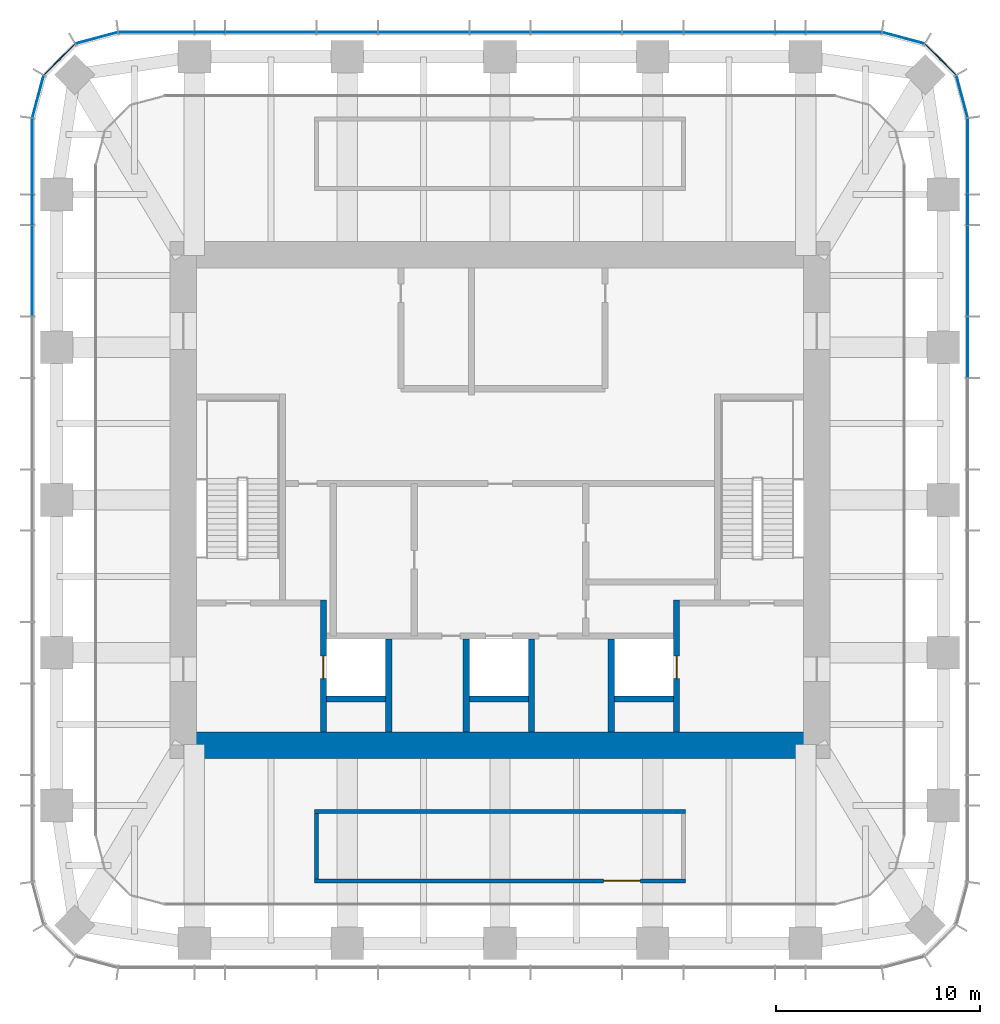
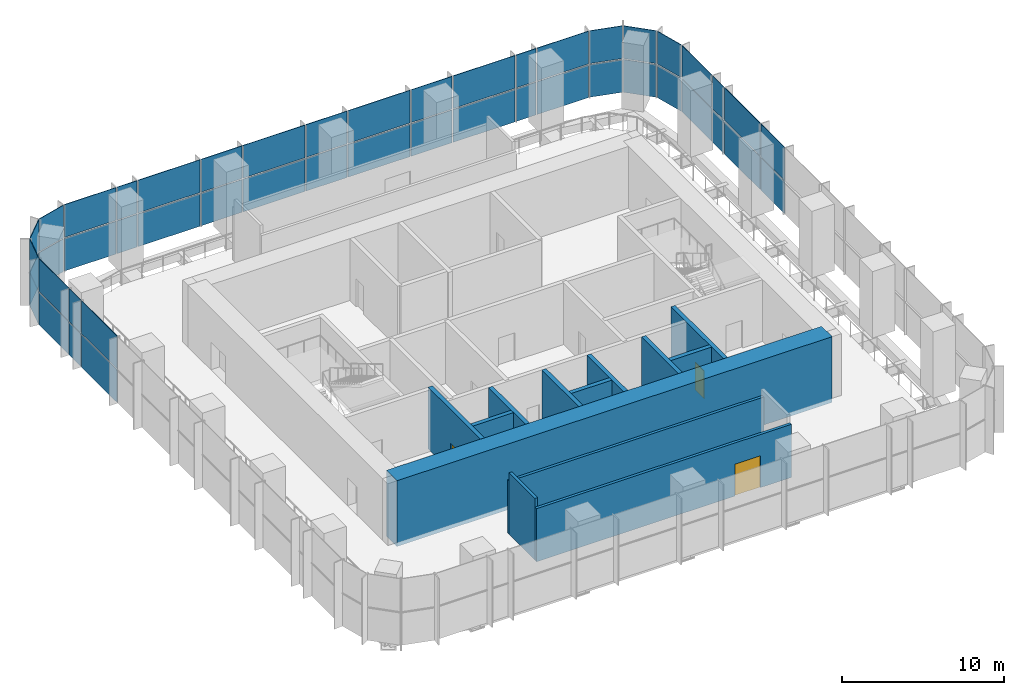
# One storey, part 5 of 10: 48 plates, 13 walls, 3 doors, 3 openings, 5 elements without a shape of their own.
"""IFC4 building model written with IfcOpenShell, lengths in metres."""

import ifcopenshell
import ifcopenshell.guid

model = None  # the IFC model being written
_history = None  # IfcOwnerHistory: only IFC2X3 demands one
_inside = {}  # id of a spatial element -> (the spatial element, [elements in it])
_under = {}  # id of a project, library or spatial element -> (it, [spatial elements below it])
_declared = {}  # id of a project -> (the project, [libraries it declares])
_typed = {}  # id of a type object -> (the type object, [elements of that type])
_made_of = {}  # id of a material, layer set ... -> (it, [elements and type objects made of it])


def new_model(schema):
    """Start an empty IFC model of exactly this schema.

    Asked for "IFC4X3", IfcOpenShell would pick the latest addendum, in which some entities
    have other attributes; the version numbers below select the first issue.
    IFC2X3 requires an IfcOwnerHistory on every rooted entity: one is made here for all.
    """
    global model, _history
    if schema == "IFC4X3":
        model = ifcopenshell.file(schema_version=(4, 3, 0, 0))
    else:
        model = ifcopenshell.file(schema=schema)
    _inside.clear()
    _under.clear()
    _declared.clear()
    _typed.clear()
    _made_of.clear()
    _history = None
    if model.schema == "IFC2X3":
        org = make("IfcOrganization", Name="unknown")
        user = make(
            "IfcPersonAndOrganization",
            ThePerson=make("IfcPerson", FamilyName="unknown"),
            TheOrganization=org,
        )
        app = make(
            "IfcApplication",
            ApplicationDeveloper=org,
            Version="unknown",
            ApplicationFullName="unknown",
            ApplicationIdentifier="unknown",
        )
        _history = make(
            "IfcOwnerHistory",
            OwningUser=user,
            OwningApplication=app,
            ChangeAction="ADDED",
            CreationDate=0,
        )
    return model


def make(cls, **values):
    """One entity of the class cls with the attributes given. An attribute that is None is left unset."""
    return model.create_entity(
        cls, **{name: value for name, value in values.items() if value is not None}
    )


def rooted(cls, **values):
    """An entity with a GlobalId (a new one), such as an element, a storey or a relation."""
    return make(cls, GlobalId=ifcopenshell.guid.new(), OwnerHistory=_history, **values)


def si_unit(unit_type, name, prefix=None):
    """IfcSIUnit, for example si_unit("LENGTHUNIT", "METRE", prefix="MILLI")."""
    return make("IfcSIUnit", UnitType=unit_type, Prefix=prefix, Name=name)


def assignment(units):
    """IfcUnitAssignment: the units of a project."""
    return None if units is None else make("IfcUnitAssignment", Units=units)


def point(xyz):
    """IfcCartesianPoint."""
    return None if xyz is None else make("IfcCartesianPoint", Coordinates=xyz)


def direction(xyz):
    """IfcDirection."""
    return None if xyz is None else make("IfcDirection", DirectionRatios=xyz)


def frame(location, z_axis=None, x_axis=None):
    """IfcAxis2Placement3D, a coordinate frame: its origin and axes. An axis left out is left unset."""
    return make(
        "IfcAxis2Placement3D",
        Location=point(location),
        Axis=direction(z_axis),
        RefDirection=direction(x_axis),
    )


def frame_2d(location, x_axis=None):
    """IfcAxis2Placement2D, a coordinate frame in the plane: its origin and x axis."""
    return make(
        "IfcAxis2Placement2D", Location=point(location), RefDirection=direction(x_axis)
    )


def origin():
    """The frame at (0, 0, 0) with its axes left unset."""
    return frame((0.0, 0.0, 0.0))


def origin_2d():
    """The frame at (0, 0) in the plane with its x axis left unset."""
    return frame_2d((0.0, 0.0))


def place(relative_to, where):
    """IfcLocalPlacement: puts the frame where relative to a parent placement (None: the world)."""
    return make(
        "IfcLocalPlacement", PlacementRelTo=relative_to, RelativePlacement=where
    )


def context(
    kind, dimensions, precision=None, world=None, true_north=None, identifier=None
):
    """IfcGeometricRepresentationContext, for example the 3D "Model" context."""
    return make(
        "IfcGeometricRepresentationContext",
        ContextIdentifier=identifier,
        ContextType=kind,
        CoordinateSpaceDimension=dimensions,
        Precision=precision,
        WorldCoordinateSystem=world,
        TrueNorth=true_north,
    )


def subcontext(parent, identifier, kind, view, scale=None):
    """IfcGeometricRepresentationSubContext, for example "Body" below "Model"."""
    return make(
        "IfcGeometricRepresentationSubContext",
        ContextIdentifier=identifier,
        ContextType=kind,
        ParentContext=parent,
        TargetScale=scale,
        TargetView=view,
    )


def project(units=None, contexts=None):
    """IfcProject with its units and contexts."""
    return rooted(
        "IfcProject",
        Name="project",
        RepresentationContexts=contexts,
        UnitsInContext=assignment(units),
    )


def spatial(cls, under=None, at=None, **own):
    """A site, building, storey or space (cls), placed at a placement, below another one or the project."""
    s = rooted(cls, ObjectPlacement=at, **own)
    if under is not None:
        _under.setdefault(under.id(), (under, []))[1].append(s)
    return s


def profile(cls, at=None, kind="AREA", **sizes):
    """A parametric profile (cls). Its sizes go by their IFC names, for example OverallWidth=200.0."""
    return make(cls, ProfileType=kind, Position=at, **sizes)


def rectangle(**sizes):
    """IfcRectangleProfileDef."""
    return profile("IfcRectangleProfileDef", **sizes)


def extrude(swept, where, along, depth):
    """IfcExtrudedAreaSolid: the profile swept, set in the frame where, extruded along a direction by depth."""
    return make(
        "IfcExtrudedAreaSolid",
        SweptArea=swept,
        Position=where,
        ExtrudedDirection=direction(along),
        Depth=depth,
    )


def shape(context_of_items, identifier, shape_type, items):
    """IfcShapeRepresentation: the items that make up one representation, for example the "Body"."""
    return make(
        "IfcShapeRepresentation",
        ContextOfItems=context_of_items,
        RepresentationIdentifier=identifier,
        RepresentationType=shape_type,
        Items=items,
    )


def material(Name=None, Category=None):
    """IfcMaterial."""
    return make("IfcMaterial", Name=Name, Category=Category)


def layer(
    of_material, thickness, ventilated=None, Name=None, Category=None, Priority=None
):
    """IfcMaterialLayer: one layer of a wall or slab, of a material (None: an air gap)."""
    return make(
        "IfcMaterialLayer",
        Material=of_material,
        LayerThickness=thickness,
        IsVentilated=ventilated,
        Name=Name,
        Category=Category,
        Priority=Priority,
    )


def layer_set(layers, Name=None):
    """IfcMaterialLayerSet."""
    return make("IfcMaterialLayerSet", MaterialLayers=layers, LayerSetName=Name)


def made_of(thing, what):
    """Note that an element or type object is made of a material, layer set ...; save() writes the relation."""
    if what is not None:
        _made_of.setdefault(what.id(), (what, []))[1].append(thing)
    return thing


def type_object(cls, material=None, **own):
    """A type object (cls), such as IfcWallType, which elements share."""
    return made_of(rooted(cls, **own), material)


def element(
    cls,
    number,
    at=None,
    inside=None,
    cuts=None,
    type_object=None,
    material=None,
    context=None,
    identifier="Body",
    shape_type=None,
    held_by="IfcProductDefinitionShape",
    body=None,
    shapes=None,
    **own,
):
    """One element of the class cls, such as IfcWall. Its Tag is "e" and its number.

    at: its placement. inside: the storey or other place that contains it. cuts: it is an
    opening in that element (IfcRelVoidsElement). A single representation is given by context,
    identifier, shape_type and body (its items); several are given by shapes. held_by: the class
    of the entity that holds the representations. save() writes the other relations.
    """
    e = rooted(cls, Tag="e%d" % number, ObjectPlacement=at, **own)
    if body is not None:
        shapes = [shape(context, identifier, shape_type, body)]
    if shapes is not None:
        e.Representation = make(held_by, Representations=shapes)
    if inside is not None:
        _inside.setdefault(inside.id(), (inside, []))[1].append(e)
    if cuts is not None:
        rooted(
            "IfcRelVoidsElement", RelatingBuildingElement=cuts, RelatedOpeningElement=e
        )
    if type_object is not None:
        _typed.setdefault(type_object.id(), (type_object, []))[1].append(e)
    return made_of(e, material)


def fill(opening, filler):
    """IfcRelFillsElement: the door or window that sits in an opening."""
    return rooted(
        "IfcRelFillsElement",
        RelatingOpeningElement=opening,
        RelatedBuildingElement=filler,
    )


def aggregate(whole, parts):
    """IfcRelAggregates: a whole, such as a stair, and the parts it consists of."""
    return rooted("IfcRelAggregates", RelatingObject=whole, RelatedObjects=parts)


def save(model, path):
    """Write the relations noted so far, then the file.

    IfcRelAggregates (storeys below a building ...), IfcRelContainedInSpatialStructure (elements
    in a storey), IfcRelDefinesByType, IfcRelAssociatesMaterial and IfcRelDeclares: one each for
    every whole, place, type object, material and project.
    """
    for whole, parts in _under.values():
        aggregate(whole, parts)
    for where, things in _inside.values():
        rooted(
            "IfcRelContainedInSpatialStructure",
            RelatedElements=things,
            RelatingStructure=where,
        )
    for kind, things in _typed.values():
        rooted("IfcRelDefinesByType", RelatedObjects=things, RelatingType=kind)
    for what, things in _made_of.values():
        rooted("IfcRelAssociatesMaterial", RelatedObjects=things, RelatingMaterial=what)
    for by, libraries in _declared.values():
        rooted("IfcRelDeclares", RelatingContext=by, RelatedDefinitions=libraries)
    model.write(path)


model = new_model("IFC4")

# Units and contexts
model_context = context("Model", 3, precision=1e-05, world=origin(), true_north=direction((0.0, 1.0)))
body_context = subcontext(model_context, "Body", "Model", "MODEL_VIEW")
ifc_project = project(units=[si_unit("LENGTHUNIT", "METRE"), si_unit("AREAUNIT", "SQUARE_METRE"), si_unit("VOLUMEUNIT", "CUBIC_METRE"), si_unit("PLANEANGLEUNIT", "RADIAN"), si_unit("MASSUNIT", "GRAM", prefix="KILO")], contexts=[model_context])

# Site, building, storey
site_placement = place(None, origin())
site = spatial("IfcSite", under=ifc_project, at=site_placement, CompositionType="ELEMENT")
building_placement = place(site_placement, origin())
building = spatial("IfcBuilding", under=site, at=building_placement, Name="Khuree Lantern Residences", CompositionType="ELEMENT")
storey_placement = place(building_placement, frame((0.0, 0.0, 358.25)))
storey = spatial("IfcBuildingStorey", under=building, at=storey_placement, Name="L90", CompositionType="ELEMENT", Elevation=358.25)

# Curtain wall, plates
ifc_material_1 = material(Name="Bronze anodised aluminium", Category="aluminium")
curtain_wall_type = type_object("IfcCurtainWallType", Name="CW-L LANTERN CROWN CURTAIN WALL", PredefinedType="USERDEFINED", material=ifc_material_1)
curtain_wall_1_placement = place(storey_placement, origin())
curtain_wall_1 = element("IfcCurtainWall", 1, at=curtain_wall_1_placement, inside=storey, type_object=curtain_wall_type, Name="L90 EAST FACE CURTAIN WALL", ObjectType="Lantern curtain wall", PredefinedType="USERDEFINED")
ifc_material_2 = material(Name="Bronze fritted laminated glass over an insulated spandrel back pan", Category="glass")
ifc_layer_1 = layer(ifc_material_2, 0.0400390625)
ifc_layer_set_1 = layer_set([ifc_layer_1], Name="LANTERN SHADOW BOX PANEL P8")
plate_type = type_object("IfcPlateType", Name="LANTERN SHADOW BOX PANEL P8", PredefinedType="CURTAIN_PANEL", material=ifc_layer_set_1)
plate_1_placement = place(storey_placement, frame((22.89990234375, 7.47998046875, 0.0), z_axis=(0.0, 0.0, 1.0), x_axis=(0.0, 1.0, 0.0)))
plate_1 = element("IfcPlate", 2, at=plate_1_placement, type_object=plate_type, Name="L90 EAST FACE PANEL 11.1", PredefinedType="CURTAIN_PANEL", context=body_context, shape_type="SweptSolid", body=[
    extrude(rectangle(XDim=2.9169921875, YDim=0.0400390625, at=origin_2d()), origin(), (0.0, 0.0, 1.0), 2.46240234375),
])
plate_2_placement = place(storey_placement, frame((22.89990234375, 7.47998046875, 2.53759765625), z_axis=(0.0, 0.0, 1.0), x_axis=(0.0, 1.0, 0.0)))
plate_2 = element("IfcPlate", 3, at=plate_2_placement, type_object=plate_type, Name="L90 EAST FACE PANEL 11.2", PredefinedType="CURTAIN_PANEL", context=body_context, shape_type="SweptSolid", body=[
    extrude(rectangle(XDim=2.9169921875, YDim=0.0400390625, at=origin_2d()), origin(), (0.0, 0.0, 1.0), 2.46240234375),
])
plate_3_placement = place(storey_placement, frame((22.89990234375, 11.219970703125, 0.0), z_axis=(0.0, 0.0, 1.0), x_axis=(0.0, 1.0, 0.0)))
plate_3 = element("IfcPlate", 4, at=plate_3_placement, type_object=plate_type, Name="L90 EAST FACE PANEL 12.1", PredefinedType="CURTAIN_PANEL", context=body_context, shape_type="SweptSolid", body=[
    extrude(rectangle(XDim=4.4130859375, YDim=0.0400390625, at=origin_2d()), origin(), (0.0, 0.0, 1.0), 2.46240234375),
])
plate_4_placement = place(storey_placement, frame((22.89990234375, 11.219970703125, 2.53759765625), z_axis=(0.0, 0.0, 1.0), x_axis=(0.0, 1.0, 0.0)))
plate_4 = element("IfcPlate", 5, at=plate_4_placement, type_object=plate_type, Name="L90 EAST FACE PANEL 12.2", PredefinedType="CURTAIN_PANEL", context=body_context, shape_type="SweptSolid", body=[
    extrude(rectangle(XDim=4.4130859375, YDim=0.0400390625, at=origin_2d()), origin(), (0.0, 0.0, 1.0), 2.46240234375),
])
plate_5_placement = place(storey_placement, frame((22.89990234375, 14.2119140625, 0.0), z_axis=(0.0, 0.0, 1.0), x_axis=(0.0, 1.0, 0.0)))
plate_5 = element("IfcPlate", 6, at=plate_5_placement, type_object=plate_type, Name="L90 EAST FACE PANEL 13.1", PredefinedType="CURTAIN_PANEL", context=body_context, shape_type="SweptSolid", body=[
    extrude(rectangle(XDim=1.4208984375, YDim=0.0400390625, at=origin_2d()), origin(), (0.0, 0.0, 1.0), 2.46240234375),
])
plate_6_placement = place(storey_placement, frame((22.89990234375, 14.2119140625, 2.53759765625), z_axis=(0.0, 0.0, 1.0), x_axis=(0.0, 1.0, 0.0)))
plate_6 = element("IfcPlate", 7, at=plate_6_placement, type_object=plate_type, Name="L90 EAST FACE PANEL 13.2", PredefinedType="CURTAIN_PANEL", context=body_context, shape_type="SweptSolid", body=[
    extrude(rectangle(XDim=1.4208984375, YDim=0.0400390625, at=origin_2d()), origin(), (0.0, 0.0, 1.0), 2.46240234375),
])
plate_7_placement = place(storey_placement, frame((22.89990234375, 16.82861328125, 0.0), z_axis=(0.0, 0.0, 1.0), x_axis=(0.0, 1.0, 0.0)))
plate_7 = element("IfcPlate", 8, at=plate_7_placement, type_object=plate_type, Name="L90 EAST FACE PANEL 14.1", PredefinedType="CURTAIN_PANEL", context=body_context, shape_type="SweptSolid", body=[
    extrude(rectangle(XDim=3.662109375, YDim=0.0400390625, at=origin_2d()), origin(), (0.0, 0.0, 1.0), 2.46240234375),
])
plate_8_placement = place(storey_placement, frame((22.89990234375, 16.82861328125, 2.53759765625), z_axis=(0.0, 0.0, 1.0), x_axis=(0.0, 1.0, 0.0)))
plate_8 = element("IfcPlate", 9, at=plate_8_placement, type_object=plate_type, Name="L90 EAST FACE PANEL 14.2", PredefinedType="CURTAIN_PANEL", context=body_context, shape_type="SweptSolid", body=[
    extrude(rectangle(XDim=3.662109375, YDim=0.0400390625, at=origin_2d()), origin(), (0.0, 0.0, 1.0), 2.46240234375),
])
aggregate(curtain_wall_1, [plate_1, plate_2, plate_3, plate_4, plate_5, plate_6, plate_7, plate_8])

curtain_wall_2_placement = place(storey_placement, origin())
curtain_wall_2 = element("IfcCurtainWall", 10, at=curtain_wall_2_placement, inside=storey, type_object=curtain_wall_type, Name="L90 NORTH-EAST CORNER CURTAIN WALL", ObjectType="Lantern curtain wall", PredefinedType="USERDEFINED")
plate_9_placement = place(storey_placement, frame((22.619140625, 19.748291015625, 0.0), z_axis=(0.0, 0.0, 1.0), x_axis=(-0.2588189146, 0.965925861257, 0.0)))
plate_9 = element("IfcPlate", 11, at=plate_9_placement, type_object=plate_type, Name="L90 NORTH-EAST CORNER PANEL 15.1", PredefinedType="CURTAIN_PANEL", context=body_context, shape_type="SweptSolid", body=[
    extrude(rectangle(XDim=2.08935546875, YDim=0.0400390625, at=origin_2d()), origin(), (0.0, 0.0, 1.0), 2.46240234375),
])
plate_10_placement = place(storey_placement, frame((22.619140625, 19.748291015625, 2.53759765625), z_axis=(0.0, 0.0, 1.0), x_axis=(-0.2588189146, 0.965925861257, 0.0)))
plate_10 = element("IfcPlate", 12, at=plate_10_placement, type_object=plate_type, Name="L90 NORTH-EAST CORNER PANEL 15.2", PredefinedType="CURTAIN_PANEL", context=body_context, shape_type="SweptSolid", body=[
    extrude(rectangle(XDim=2.08935546875, YDim=0.0400390625, at=origin_2d()), origin(), (0.0, 0.0, 1.0), 2.46240234375),
])
plate_11_placement = place(storey_placement, frame((21.568603515625, 21.568603515625, 0.0), z_axis=(0.0, 0.0, 1.0), x_axis=(-0.707106781187, 0.707106781187, 0.0)))
plate_11 = element("IfcPlate", 13, at=plate_11_placement, type_object=plate_type, Name="L90 NORTH-EAST CORNER PANEL 16.1", PredefinedType="CURTAIN_PANEL", context=body_context, shape_type="SweptSolid", body=[
    extrude(rectangle(XDim=2.085693359375, YDim=0.0400390625, at=origin_2d()), origin(), (0.0, 0.0, 1.0), 2.46240234375),
])
plate_12_placement = place(storey_placement, frame((21.568603515625, 21.568603515625, 2.53759765625), z_axis=(0.0, 0.0, 1.0), x_axis=(-0.707106781187, 0.707106781187, 0.0)))
plate_12 = element("IfcPlate", 14, at=plate_12_placement, type_object=plate_type, Name="L90 NORTH-EAST CORNER PANEL 16.2", PredefinedType="CURTAIN_PANEL", context=body_context, shape_type="SweptSolid", body=[
    extrude(rectangle(XDim=2.085693359375, YDim=0.0400390625, at=origin_2d()), origin(), (0.0, 0.0, 1.0), 2.46240234375),
])
plate_13_placement = place(storey_placement, frame((19.748291015625, 22.619140625, 0.0), z_axis=(0.0, 0.0, 1.0), x_axis=(-0.965925861257, 0.2588189146, 0.0)))
plate_13 = element("IfcPlate", 15, at=plate_13_placement, type_object=plate_type, Name="L90 NORTH-EAST CORNER PANEL 17.1", PredefinedType="CURTAIN_PANEL", context=body_context, shape_type="SweptSolid", body=[
    extrude(rectangle(XDim=2.08935546875, YDim=0.0400390625, at=origin_2d()), origin(), (0.0, 0.0, 1.0), 2.46240234375),
])
plate_14_placement = place(storey_placement, frame((19.748291015625, 22.619140625, 2.53759765625), z_axis=(0.0, 0.0, 1.0), x_axis=(-0.965925861257, 0.2588189146, 0.0)))
plate_14 = element("IfcPlate", 16, at=plate_14_placement, type_object=plate_type, Name="L90 NORTH-EAST CORNER PANEL 17.2", PredefinedType="CURTAIN_PANEL", context=body_context, shape_type="SweptSolid", body=[
    extrude(rectangle(XDim=2.08935546875, YDim=0.0400390625, at=origin_2d()), origin(), (0.0, 0.0, 1.0), 2.46240234375),
])
aggregate(curtain_wall_2, [plate_9, plate_10, plate_11, plate_12, plate_13, plate_14])

curtain_wall_3_placement = place(storey_placement, origin())
curtain_wall_3 = element("IfcCurtainWall", 17, at=curtain_wall_3_placement, inside=storey, type_object=curtain_wall_type, Name="L90 NORTH FACE CURTAIN WALL", ObjectType="Lantern curtain wall", PredefinedType="USERDEFINED")
plate_15_placement = place(storey_placement, frame((16.82861328125, 22.89990234375, 0.0), z_axis=(0.0, 0.0, 1.0), x_axis=(-1.0, 0.0, 0.0)))
plate_15 = element("IfcPlate", 18, at=plate_15_placement, type_object=plate_type, Name="L90 NORTH FACE PANEL 18.1", PredefinedType="CURTAIN_PANEL", context=body_context, shape_type="SweptSolid", body=[
    extrude(rectangle(XDim=3.662109375, YDim=0.0400390625, at=origin_2d()), origin(), (0.0, 0.0, 1.0), 2.46240234375),
])
plate_16_placement = place(storey_placement, frame((16.82861328125, 22.89990234375, 2.53759765625), z_axis=(0.0, 0.0, 1.0), x_axis=(-1.0, 0.0, 0.0)))
plate_16 = element("IfcPlate", 19, at=plate_16_placement, type_object=plate_type, Name="L90 NORTH FACE PANEL 18.2", PredefinedType="CURTAIN_PANEL", context=body_context, shape_type="SweptSolid", body=[
    extrude(rectangle(XDim=3.662109375, YDim=0.0400390625, at=origin_2d()), origin(), (0.0, 0.0, 1.0), 2.46240234375),
])
plate_17_placement = place(storey_placement, frame((14.2119140625, 22.89990234375, 0.0), z_axis=(0.0, 0.0, 1.0), x_axis=(-1.0, 0.0, 0.0)))
plate_17 = element("IfcPlate", 20, at=plate_17_placement, type_object=plate_type, Name="L90 NORTH FACE PANEL 19.1", PredefinedType="CURTAIN_PANEL", context=body_context, shape_type="SweptSolid", body=[
    extrude(rectangle(XDim=1.4208984375, YDim=0.0400390625, at=origin_2d()), origin(), (0.0, 0.0, 1.0), 2.46240234375),
])
plate_18_placement = place(storey_placement, frame((14.2119140625, 22.89990234375, 2.53759765625), z_axis=(0.0, 0.0, 1.0), x_axis=(-1.0, 0.0, 0.0)))
plate_18 = element("IfcPlate", 21, at=plate_18_placement, type_object=plate_type, Name="L90 NORTH FACE PANEL 19.2", PredefinedType="CURTAIN_PANEL", context=body_context, shape_type="SweptSolid", body=[
    extrude(rectangle(XDim=1.4208984375, YDim=0.0400390625, at=origin_2d()), origin(), (0.0, 0.0, 1.0), 2.46240234375),
])
plate_19_placement = place(storey_placement, frame((11.219970703125, 22.89990234375, 0.0), z_axis=(0.0, 0.0, 1.0), x_axis=(-1.0, 0.0, 0.0)))
plate_19 = element("IfcPlate", 22, at=plate_19_placement, type_object=plate_type, Name="L90 NORTH FACE PANEL 20.1", PredefinedType="CURTAIN_PANEL", context=body_context, shape_type="SweptSolid", body=[
    extrude(rectangle(XDim=4.4130859375, YDim=0.0400390625, at=origin_2d()), origin(), (0.0, 0.0, 1.0), 2.46240234375),
])
plate_20_placement = place(storey_placement, frame((11.219970703125, 22.89990234375, 2.53759765625), z_axis=(0.0, 0.0, 1.0), x_axis=(-1.0, 0.0, 0.0)))
plate_20 = element("IfcPlate", 23, at=plate_20_placement, type_object=plate_type, Name="L90 NORTH FACE PANEL 20.2", PredefinedType="CURTAIN_PANEL", context=body_context, shape_type="SweptSolid", body=[
    extrude(rectangle(XDim=4.4130859375, YDim=0.0400390625, at=origin_2d()), origin(), (0.0, 0.0, 1.0), 2.46240234375),
])
plate_21_placement = place(storey_placement, frame((7.47998046875, 22.89990234375, 0.0), z_axis=(0.0, 0.0, 1.0), x_axis=(-1.0, 0.0, 0.0)))
plate_21 = element("IfcPlate", 24, at=plate_21_placement, type_object=plate_type, Name="L90 NORTH FACE PANEL 21.1", PredefinedType="CURTAIN_PANEL", context=body_context, shape_type="SweptSolid", body=[
    extrude(rectangle(XDim=2.9169921875, YDim=0.0400390625, at=origin_2d()), origin(), (0.0, 0.0, 1.0), 2.46240234375),
])
plate_22_placement = place(storey_placement, frame((7.47998046875, 22.89990234375, 2.53759765625), z_axis=(0.0, 0.0, 1.0), x_axis=(-1.0, 0.0, 0.0)))
plate_22 = element("IfcPlate", 25, at=plate_22_placement, type_object=plate_type, Name="L90 NORTH FACE PANEL 21.2", PredefinedType="CURTAIN_PANEL", context=body_context, shape_type="SweptSolid", body=[
    extrude(rectangle(XDim=2.9169921875, YDim=0.0400390625, at=origin_2d()), origin(), (0.0, 0.0, 1.0), 2.46240234375),
])
plate_23_placement = place(storey_placement, frame((3.739990234375, 22.89990234375, 0.0), z_axis=(0.0, 0.0, 1.0), x_axis=(-1.0, 0.0, 0.0)))
plate_23 = element("IfcPlate", 26, at=plate_23_placement, type_object=plate_type, Name="L90 NORTH FACE PANEL 22.1", PredefinedType="CURTAIN_PANEL", context=body_context, shape_type="SweptSolid", body=[
    extrude(rectangle(XDim=4.4130859375, YDim=0.0400390625, at=origin_2d()), origin(), (0.0, 0.0, 1.0), 2.46240234375),
])
plate_24_placement = place(storey_placement, frame((3.739990234375, 22.89990234375, 2.53759765625), z_axis=(0.0, 0.0, 1.0), x_axis=(-1.0, 0.0, 0.0)))
plate_24 = element("IfcPlate", 27, at=plate_24_placement, type_object=plate_type, Name="L90 NORTH FACE PANEL 22.2", PredefinedType="CURTAIN_PANEL", context=body_context, shape_type="SweptSolid", body=[
    extrude(rectangle(XDim=4.4130859375, YDim=0.0400390625, at=origin_2d()), origin(), (0.0, 0.0, 1.0), 2.46240234375),
])
plate_25_placement = place(storey_placement, frame((0.0, 22.89990234375, 0.0), z_axis=(0.0, 0.0, 1.0), x_axis=(-1.0, 0.0, 0.0)))
plate_25 = element("IfcPlate", 28, at=plate_25_placement, type_object=plate_type, Name="L90 NORTH FACE PANEL 23.1", PredefinedType="CURTAIN_PANEL", context=body_context, shape_type="SweptSolid", body=[
    extrude(rectangle(XDim=2.9169921875, YDim=0.0400390625, at=origin_2d()), origin(), (0.0, 0.0, 1.0), 2.46240234375),
])
plate_26_placement = place(storey_placement, frame((0.0, 22.89990234375, 2.53759765625), z_axis=(0.0, 0.0, 1.0), x_axis=(-1.0, 0.0, 0.0)))
plate_26 = element("IfcPlate", 29, at=plate_26_placement, type_object=plate_type, Name="L90 NORTH FACE PANEL 23.2", PredefinedType="CURTAIN_PANEL", context=body_context, shape_type="SweptSolid", body=[
    extrude(rectangle(XDim=2.9169921875, YDim=0.0400390625, at=origin_2d()), origin(), (0.0, 0.0, 1.0), 2.46240234375),
])
plate_27_placement = place(storey_placement, frame((-3.739990234375, 22.89990234375, 0.0), z_axis=(0.0, 0.0, 1.0), x_axis=(-1.0, 0.0, 0.0)))
plate_27 = element("IfcPlate", 30, at=plate_27_placement, type_object=plate_type, Name="L90 NORTH FACE PANEL 24.1", PredefinedType="CURTAIN_PANEL", context=body_context, shape_type="SweptSolid", body=[
    extrude(rectangle(XDim=4.4130859375, YDim=0.0400390625, at=origin_2d()), origin(), (0.0, 0.0, 1.0), 2.46240234375),
])
plate_28_placement = place(storey_placement, frame((-3.739990234375, 22.89990234375, 2.53759765625), z_axis=(0.0, 0.0, 1.0), x_axis=(-1.0, 0.0, 0.0)))
plate_28 = element("IfcPlate", 31, at=plate_28_placement, type_object=plate_type, Name="L90 NORTH FACE PANEL 24.2", PredefinedType="CURTAIN_PANEL", context=body_context, shape_type="SweptSolid", body=[
    extrude(rectangle(XDim=4.4130859375, YDim=0.0400390625, at=origin_2d()), origin(), (0.0, 0.0, 1.0), 2.46240234375),
])
plate_29_placement = place(storey_placement, frame((-7.47998046875, 22.89990234375, 0.0), z_axis=(0.0, 0.0, 1.0), x_axis=(-1.0, 0.0, 0.0)))
plate_29 = element("IfcPlate", 32, at=plate_29_placement, type_object=plate_type, Name="L90 NORTH FACE PANEL 25.1", PredefinedType="CURTAIN_PANEL", context=body_context, shape_type="SweptSolid", body=[
    extrude(rectangle(XDim=2.9169921875, YDim=0.0400390625, at=origin_2d()), origin(), (0.0, 0.0, 1.0), 2.46240234375),
])
plate_30_placement = place(storey_placement, frame((-7.47998046875, 22.89990234375, 2.53759765625), z_axis=(0.0, 0.0, 1.0), x_axis=(-1.0, 0.0, 0.0)))
plate_30 = element("IfcPlate", 33, at=plate_30_placement, type_object=plate_type, Name="L90 NORTH FACE PANEL 25.2", PredefinedType="CURTAIN_PANEL", context=body_context, shape_type="SweptSolid", body=[
    extrude(rectangle(XDim=2.9169921875, YDim=0.0400390625, at=origin_2d()), origin(), (0.0, 0.0, 1.0), 2.46240234375),
])
plate_31_placement = place(storey_placement, frame((-11.219970703125, 22.89990234375, 0.0), z_axis=(0.0, 0.0, 1.0), x_axis=(-1.0, 0.0, 0.0)))
plate_31 = element("IfcPlate", 34, at=plate_31_placement, type_object=plate_type, Name="L90 NORTH FACE PANEL 26.1", PredefinedType="CURTAIN_PANEL", context=body_context, shape_type="SweptSolid", body=[
    extrude(rectangle(XDim=4.4130859375, YDim=0.0400390625, at=origin_2d()), origin(), (0.0, 0.0, 1.0), 2.46240234375),
])
plate_32_placement = place(storey_placement, frame((-11.219970703125, 22.89990234375, 2.53759765625), z_axis=(0.0, 0.0, 1.0), x_axis=(-1.0, 0.0, 0.0)))
plate_32 = element("IfcPlate", 35, at=plate_32_placement, type_object=plate_type, Name="L90 NORTH FACE PANEL 26.2", PredefinedType="CURTAIN_PANEL", context=body_context, shape_type="SweptSolid", body=[
    extrude(rectangle(XDim=4.4130859375, YDim=0.0400390625, at=origin_2d()), origin(), (0.0, 0.0, 1.0), 2.46240234375),
])
plate_33_placement = place(storey_placement, frame((-14.2119140625, 22.89990234375, 0.0), z_axis=(0.0, 0.0, 1.0), x_axis=(-1.0, 0.0, 0.0)))
plate_33 = element("IfcPlate", 36, at=plate_33_placement, type_object=plate_type, Name="L90 NORTH FACE PANEL 27.1", PredefinedType="CURTAIN_PANEL", context=body_context, shape_type="SweptSolid", body=[
    extrude(rectangle(XDim=1.4208984375, YDim=0.0400390625, at=origin_2d()), origin(), (0.0, 0.0, 1.0), 2.46240234375),
])
plate_34_placement = place(storey_placement, frame((-14.2119140625, 22.89990234375, 2.53759765625), z_axis=(0.0, 0.0, 1.0), x_axis=(-1.0, 0.0, 0.0)))
plate_34 = element("IfcPlate", 37, at=plate_34_placement, type_object=plate_type, Name="L90 NORTH FACE PANEL 27.2", PredefinedType="CURTAIN_PANEL", context=body_context, shape_type="SweptSolid", body=[
    extrude(rectangle(XDim=1.4208984375, YDim=0.0400390625, at=origin_2d()), origin(), (0.0, 0.0, 1.0), 2.46240234375),
])
plate_35_placement = place(storey_placement, frame((-16.82861328125, 22.89990234375, 0.0), z_axis=(0.0, 0.0, 1.0), x_axis=(-1.0, 0.0, 0.0)))
plate_35 = element("IfcPlate", 38, at=plate_35_placement, type_object=plate_type, Name="L90 NORTH FACE PANEL 28.1", PredefinedType="CURTAIN_PANEL", context=body_context, shape_type="SweptSolid", body=[
    extrude(rectangle(XDim=3.662109375, YDim=0.0400390625, at=origin_2d()), origin(), (0.0, 0.0, 1.0), 2.46240234375),
])
plate_36_placement = place(storey_placement, frame((-16.82861328125, 22.89990234375, 2.53759765625), z_axis=(0.0, 0.0, 1.0), x_axis=(-1.0, 0.0, 0.0)))
plate_36 = element("IfcPlate", 39, at=plate_36_placement, type_object=plate_type, Name="L90 NORTH FACE PANEL 28.2", PredefinedType="CURTAIN_PANEL", context=body_context, shape_type="SweptSolid", body=[
    extrude(rectangle(XDim=3.662109375, YDim=0.0400390625, at=origin_2d()), origin(), (0.0, 0.0, 1.0), 2.46240234375),
])
aggregate(curtain_wall_3, [plate_15, plate_16, plate_17, plate_18, plate_19, plate_20, plate_21, plate_22, plate_23, plate_24, plate_25, plate_26, plate_27, plate_28, plate_29, plate_30, plate_31, plate_32, plate_33, plate_34, plate_35, plate_36])

curtain_wall_4_placement = place(storey_placement, origin())
curtain_wall_4 = element("IfcCurtainWall", 40, at=curtain_wall_4_placement, inside=storey, type_object=curtain_wall_type, Name="L90 NORTH-WEST CORNER CURTAIN WALL", ObjectType="Lantern curtain wall", PredefinedType="USERDEFINED")
plate_37_placement = place(storey_placement, frame((-19.748291015625, 22.619140625, 0.0), z_axis=(0.0, 0.0, 1.0), x_axis=(-0.965925861257, -0.2588189146, 0.0)))
plate_37 = element("IfcPlate", 41, at=plate_37_placement, type_object=plate_type, Name="L90 NORTH-WEST CORNER PANEL 29.1", PredefinedType="CURTAIN_PANEL", context=body_context, shape_type="SweptSolid", body=[
    extrude(rectangle(XDim=2.08935546875, YDim=0.0400390625, at=origin_2d()), origin(), (0.0, 0.0, 1.0), 2.46240234375),
])
plate_38_placement = place(storey_placement, frame((-19.748291015625, 22.619140625, 2.53759765625), z_axis=(0.0, 0.0, 1.0), x_axis=(-0.965925861257, -0.2588189146, 0.0)))
plate_38 = element("IfcPlate", 42, at=plate_38_placement, type_object=plate_type, Name="L90 NORTH-WEST CORNER PANEL 29.2", PredefinedType="CURTAIN_PANEL", context=body_context, shape_type="SweptSolid", body=[
    extrude(rectangle(XDim=2.08935546875, YDim=0.0400390625, at=origin_2d()), origin(), (0.0, 0.0, 1.0), 2.46240234375),
])
plate_39_placement = place(storey_placement, frame((-21.568603515625, 21.568603515625, 0.0), z_axis=(0.0, 0.0, 1.0), x_axis=(-0.707106781187, -0.707106781187, 0.0)))
plate_39 = element("IfcPlate", 43, at=plate_39_placement, type_object=plate_type, Name="L90 NORTH-WEST CORNER PANEL 30.1", PredefinedType="CURTAIN_PANEL", context=body_context, shape_type="SweptSolid", body=[
    extrude(rectangle(XDim=2.085693359375, YDim=0.0400390625, at=origin_2d()), origin(), (0.0, 0.0, 1.0), 2.46240234375),
])
plate_40_placement = place(storey_placement, frame((-21.568603515625, 21.568603515625, 2.53759765625), z_axis=(0.0, 0.0, 1.0), x_axis=(-0.707106781187, -0.707106781187, 0.0)))
plate_40 = element("IfcPlate", 44, at=plate_40_placement, type_object=plate_type, Name="L90 NORTH-WEST CORNER PANEL 30.2", PredefinedType="CURTAIN_PANEL", context=body_context, shape_type="SweptSolid", body=[
    extrude(rectangle(XDim=2.085693359375, YDim=0.0400390625, at=origin_2d()), origin(), (0.0, 0.0, 1.0), 2.46240234375),
])
plate_41_placement = place(storey_placement, frame((-22.619140625, 19.748291015625, 0.0), z_axis=(0.0, 0.0, 1.0), x_axis=(-0.2588189146, -0.965925861257, 0.0)))
plate_41 = element("IfcPlate", 45, at=plate_41_placement, type_object=plate_type, Name="L90 NORTH-WEST CORNER PANEL 31.1", PredefinedType="CURTAIN_PANEL", context=body_context, shape_type="SweptSolid", body=[
    extrude(rectangle(XDim=2.08935546875, YDim=0.0400390625, at=origin_2d()), origin(), (0.0, 0.0, 1.0), 2.46240234375),
])
plate_42_placement = place(storey_placement, frame((-22.619140625, 19.748291015625, 2.53759765625), z_axis=(0.0, 0.0, 1.0), x_axis=(-0.2588189146, -0.965925861257, 0.0)))
plate_42 = element("IfcPlate", 46, at=plate_42_placement, type_object=plate_type, Name="L90 NORTH-WEST CORNER PANEL 31.2", PredefinedType="CURTAIN_PANEL", context=body_context, shape_type="SweptSolid", body=[
    extrude(rectangle(XDim=2.08935546875, YDim=0.0400390625, at=origin_2d()), origin(), (0.0, 0.0, 1.0), 2.46240234375),
])
aggregate(curtain_wall_4, [plate_37, plate_38, plate_39, plate_40, plate_41, plate_42])

curtain_wall_5_placement = place(storey_placement, origin())
curtain_wall_5 = element("IfcCurtainWall", 47, at=curtain_wall_5_placement, inside=storey, type_object=curtain_wall_type, Name="L90 WEST FACE CURTAIN WALL", ObjectType="Lantern curtain wall", PredefinedType="USERDEFINED")
plate_43_placement = place(storey_placement, frame((-22.89990234375, 16.82861328125, 0.0), z_axis=(0.0, 0.0, 1.0), x_axis=(0.0, -1.0, 0.0)))
plate_43 = element("IfcPlate", 48, at=plate_43_placement, type_object=plate_type, Name="L90 WEST FACE PANEL 32.1", PredefinedType="CURTAIN_PANEL", context=body_context, shape_type="SweptSolid", body=[
    extrude(rectangle(XDim=3.662109375, YDim=0.0400390625, at=origin_2d()), origin(), (0.0, 0.0, 1.0), 2.46240234375),
])
plate_44_placement = place(storey_placement, frame((-22.89990234375, 16.82861328125, 2.53759765625), z_axis=(0.0, 0.0, 1.0), x_axis=(0.0, -1.0, 0.0)))
plate_44 = element("IfcPlate", 49, at=plate_44_placement, type_object=plate_type, Name="L90 WEST FACE PANEL 32.2", PredefinedType="CURTAIN_PANEL", context=body_context, shape_type="SweptSolid", body=[
    extrude(rectangle(XDim=3.662109375, YDim=0.0400390625, at=origin_2d()), origin(), (0.0, 0.0, 1.0), 2.46240234375),
])
plate_45_placement = place(storey_placement, frame((-22.89990234375, 14.2119140625, 0.0), z_axis=(0.0, 0.0, 1.0), x_axis=(0.0, -1.0, 0.0)))
plate_45 = element("IfcPlate", 50, at=plate_45_placement, type_object=plate_type, Name="L90 WEST FACE PANEL 33.1", PredefinedType="CURTAIN_PANEL", context=body_context, shape_type="SweptSolid", body=[
    extrude(rectangle(XDim=1.4208984375, YDim=0.0400390625, at=origin_2d()), origin(), (0.0, 0.0, 1.0), 2.46240234375),
])
plate_46_placement = place(storey_placement, frame((-22.89990234375, 14.2119140625, 2.53759765625), z_axis=(0.0, 0.0, 1.0), x_axis=(0.0, -1.0, 0.0)))
plate_46 = element("IfcPlate", 51, at=plate_46_placement, type_object=plate_type, Name="L90 WEST FACE PANEL 33.2", PredefinedType="CURTAIN_PANEL", context=body_context, shape_type="SweptSolid", body=[
    extrude(rectangle(XDim=1.4208984375, YDim=0.0400390625, at=origin_2d()), origin(), (0.0, 0.0, 1.0), 2.46240234375),
])
plate_47_placement = place(storey_placement, frame((-22.89990234375, 11.219970703125, 0.0), z_axis=(0.0, 0.0, 1.0), x_axis=(0.0, -1.0, 0.0)))
plate_47 = element("IfcPlate", 52, at=plate_47_placement, type_object=plate_type, Name="L90 WEST FACE PANEL 34.1", PredefinedType="CURTAIN_PANEL", context=body_context, shape_type="SweptSolid", body=[
    extrude(rectangle(XDim=4.4130859375, YDim=0.0400390625, at=origin_2d()), origin(), (0.0, 0.0, 1.0), 2.46240234375),
])
plate_48_placement = place(storey_placement, frame((-22.89990234375, 11.219970703125, 2.53759765625), z_axis=(0.0, 0.0, 1.0), x_axis=(0.0, -1.0, 0.0)))
plate_48 = element("IfcPlate", 53, at=plate_48_placement, type_object=plate_type, Name="L90 WEST FACE PANEL 34.2", PredefinedType="CURTAIN_PANEL", context=body_context, shape_type="SweptSolid", body=[
    extrude(rectangle(XDim=4.4130859375, YDim=0.0400390625, at=origin_2d()), origin(), (0.0, 0.0, 1.0), 2.46240234375),
])
aggregate(curtain_wall_5, [plate_43, plate_44, plate_45, plate_46, plate_47, plate_48])

# Wall, opening, door
ifc_material_3 = material(Name="Dense concrete blockwork", Category="masonry")
ifc_layer_2 = layer(ifc_material_3, 0.300048828125)
ifc_layer_set_2 = layer_set([ifc_layer_2], Name="CORE PARTITION WALL CPW300 EI 120")
wall_type_1 = type_object("IfcWallType", Name="CORE PARTITION WALL CPW300 EI 120", PredefinedType="PARTITIONING", material=ifc_layer_set_2)
wall_1_placement = place(storey_placement, frame((-8.64990234375, -11.35009765625, 0.0), z_axis=(0.0, 0.0, 1.0), x_axis=(0.0, 1.0, 0.0)))
wall_1 = element("IfcWall", 54, at=wall_1_placement, inside=storey, type_object=wall_type_1, Name="L90 CORE WALL FL1W", PredefinedType="PARTITIONING", context=body_context, shape_type="SweptSolid", body=[
    extrude(rectangle(XDim=6.4501953125, YDim=0.300048828125, at=frame_2d((3.22509765625, 0.0))), origin(), (0.0, 0.0, 1.0), 4.64990234375),
])
opening_1_placement = place(wall_1_placement, frame((2.60009765625, 0.0, 0.0)))
opening_1 = element("IfcOpeningElement", 55, at=opening_1_placement, cuts=wall_1, Name="Opening 90-007", PredefinedType="OPENING", context=body_context, shape_type="SweptSolid", body=[
    extrude(rectangle(XDim=1.10009765625, YDim=2.10009765625, at=frame_2d((0.550048828125, 1.050048828125))), frame((0.0, 0.16015625, 0.0), z_axis=(0.0, -1.0, 0.0), x_axis=(1.0, 0.0, 0.0)), (0.0, 0.0, 1.0), 0.320068359375),
])
ifc_material_4 = material(Name="Stainless steel lift landing door", Category="steel")
door_type_1 = type_object("IfcDoorType", Name="LIFT LANDING DOOR 1100X2100 E 120", OperationType="DOUBLE_DOOR_SLIDING", PredefinedType="DOOR", material=ifc_material_4)
door_1_placement = place(opening_1_placement, origin())
door_1 = element("IfcDoor", 56, at=door_1_placement, inside=storey, type_object=door_type_1, Name="Landing door FL1 90-007", OperationType="DOUBLE_DOOR_SLIDING", OverallHeight=2.10009765625, OverallWidth=1.10009765625, PredefinedType="DOOR", context=body_context, shape_type="SweptSolid", body=[
    extrude(rectangle(XDim=1.10009765625, YDim=2.10009765625, at=frame_2d((0.550048828125, 1.050048828125))), frame((0.0, 0.02490234375, 0.0), z_axis=(0.0, -1.0, 0.0), x_axis=(1.0, 0.0, 0.0)), (0.0, 0.0, 1.0), 0.050048828125),
])
fill(opening_1, door_1)

wall_2_placement = place(storey_placement, frame((8.64990234375, -11.35009765625, 0.0), z_axis=(0.0, 0.0, 1.0), x_axis=(0.0, 1.0, 0.0)))
wall_2 = element("IfcWall", 57, at=wall_2_placement, inside=storey, type_object=wall_type_1, Name="L90 CORE WALL FL2E", PredefinedType="PARTITIONING", context=body_context, shape_type="SweptSolid", body=[
    extrude(rectangle(XDim=6.4501953125, YDim=0.300048828125, at=frame_2d((3.22509765625, 0.0))), origin(), (0.0, 0.0, 1.0), 4.64990234375),
])
opening_2_placement = place(wall_2_placement, frame((2.60009765625, 0.0, 0.0)))
opening_2 = element("IfcOpeningElement", 58, at=opening_2_placement, cuts=wall_2, Name="Opening 90-008", PredefinedType="OPENING", context=body_context, shape_type="SweptSolid", body=[
    extrude(rectangle(XDim=1.10009765625, YDim=2.10009765625, at=frame_2d((0.550048828125, 1.050048828125))), frame((0.0, 0.16015625, 0.0), z_axis=(0.0, -1.0, 0.0), x_axis=(1.0, 0.0, 0.0)), (0.0, 0.0, 1.0), 0.320068359375),
])
door_2_placement = place(opening_2_placement, origin())
door_2 = element("IfcDoor", 59, at=door_2_placement, inside=storey, type_object=door_type_1, Name="Landing door FL2 90-008", OperationType="DOUBLE_DOOR_SLIDING", OverallHeight=2.10009765625, OverallWidth=1.10009765625, PredefinedType="DOOR", context=body_context, shape_type="SweptSolid", body=[
    extrude(rectangle(XDim=1.10009765625, YDim=2.10009765625, at=frame_2d((0.550048828125, 1.050048828125))), frame((0.0, 0.02490234375, 0.0), z_axis=(0.0, -1.0, 0.0), x_axis=(1.0, 0.0, 0.0)), (0.0, 0.0, 1.0), 0.050048828125),
])
fill(opening_2, door_2)

# Walls
for number, where, z_axis, x_axis, name in (
    (60, (-5.449951171875, -11.35009765625, 0.0), (0.0, 0.0, 1.0), (0.0, 1.0, 0.0), "L90 CORE WALL FL1E"),
    (61, (-1.64990234375, -11.35009765625, 0.0), (0.0, 0.0, 1.0), (0.0, 1.0, 0.0), "L90 CORE WALL SL1W"),
    (62, (1.550048828125, -11.35009765625, 0.0), (0.0, 0.0, 1.0), (0.0, 1.0, 0.0), "L90 CORE WALL SL1E"),
    (63, (5.449951171875, -11.35009765625, 0.0), (0.0, 0.0, 1.0), (0.0, 1.0, 0.0), "L90 CORE WALL FL2W"),
):
    element("IfcWall", number, at=place(storey_placement, frame(where, z_axis=z_axis, x_axis=x_axis)), inside=storey, type_object=wall_type_1, Name=name, PredefinedType="PARTITIONING", context=body_context, shape_type="SweptSolid", body=[
        extrude(rectangle(XDim=4.550048828125, YDim=0.300048828125, at=frame_2d((2.27490234375, 0.0))), origin(), (0.0, 0.0, 1.0), 4.64990234375),
    ])
for number, where, z_axis, x_axis, name in (
    (64, (-8.5, -9.75, 0.0), (0.0, 0.0, 1.0), (1.0, 0.0, 0.0), "L90 CORE WALL FL1S"),
    (65, (-1.5, -9.75, 0.0), (0.0, 0.0, 1.0), (1.0, 0.0, 0.0), "L90 CORE WALL SL1S"),
    (66, (5.60009765625, -9.75, 0.0), (0.0, 0.0, 1.0), (1.0, 0.0, 0.0), "L90 CORE WALL FL2S"),
):
    element("IfcWall", number, at=place(storey_placement, frame(where, z_axis=z_axis, x_axis=x_axis)), inside=storey, type_object=wall_type_1, Name=name, PredefinedType="PARTITIONING", context=body_context, shape_type="SweptSolid", body=[
        extrude(rectangle(XDim=2.89990234375, YDim=0.300048828125, at=frame_2d((1.449951171875, 0.0))), origin(), (0.0, 0.0, 1.0), 4.64990234375),
    ])
ifc_material_5 = material(Name="Concrete C50/60", Category="concrete")
ifc_layer_3 = layer(ifc_material_5, 1.300048828125)
ifc_layer_set_3 = layer_set([ifc_layer_3], Name="CW1300-C50 CORE WALL C50 1300")
wall_type_2 = type_object("IfcWallType", Name="CW1300-C50 CORE WALL C50 1300", PredefinedType="SHEAR", material=ifc_layer_set_3)
wall_3_placement = place(storey_placement, frame((-15.5, -12.0, -0.300048828125), z_axis=(0.0, 0.0, 1.0), x_axis=(1.0, 0.0, 0.0)))
element("IfcWall", 67, at=wall_3_placement, inside=storey, type_object=wall_type_2, Name="Core wall S", PredefinedType="SHEAR", context=body_context, shape_type="SweptSolid", body=[
    extrude(rectangle(XDim=31.0, YDim=1.300048828125, at=frame_2d((15.5, 0.0))), origin(), (0.0, 0.0, 1.0), 4.949951171875),
])

# Wall, opening, door
ifc_layer_4 = layer(ifc_material_3, 0.199951171875)
ifc_layer_set_4 = layer_set([ifc_layer_4], Name="FIRE-RATED ROOM WALL FRW200 EI 120")
wall_type_3 = type_object("IfcWallType", Name="FIRE-RATED ROOM WALL FRW200 EI 120", PredefinedType="SOLIDWALL", material=ifc_layer_set_4)
wall_4_placement = place(storey_placement, frame((-9.075927734375, -18.64990234375, 0.0), z_axis=(0.0, 0.0, 1.0), x_axis=(1.0, 0.0, 0.0)))
wall_4 = element("IfcWall", 68, at=wall_4_placement, inside=storey, type_object=wall_type_3, Name="L90 ROOM WALL 1", PredefinedType="SOLIDWALL", context=body_context, shape_type="SweptSolid", body=[
    extrude(rectangle(XDim=18.15185546875, YDim=0.199951171875, at=frame_2d((9.075927734375, 0.0))), origin(), (0.0, 0.0, 1.0), 4.0),
])
opening_3_placement = place(wall_4_placement, frame((14.146484375, 0.0, 0.0)))
opening_3 = element("IfcOpeningElement", 69, at=opening_3_placement, cuts=wall_4, Name="Opening 90-020", PredefinedType="OPENING", context=body_context, shape_type="SweptSolid", body=[
    extrude(rectangle(XDim=1.800048828125, YDim=2.39990234375, at=frame_2d((0.89990234375, 1.199951171875))), frame((0.0, 0.10986328125, 0.0), z_axis=(0.0, -1.0, 0.0), x_axis=(1.0, 0.0, 0.0)), (0.0, 0.0, 1.0), 0.219970703125),
])
ifc_material_6 = material(Name="Steel door leaf in steel frame", Category="steel")
door_type_2 = type_object("IfcDoorType", Name="PLANT ROOM DOOR 1800X2400 EI 60", OperationType="DOUBLE_DOOR_SINGLE_SWING", PredefinedType="DOOR", material=ifc_material_6)
door_3_placement = place(opening_3_placement, origin())
door_3 = element("IfcDoor", 70, at=door_3_placement, inside=storey, type_object=door_type_2, Name="Pump plant room door 90-020", OperationType="DOUBLE_DOOR_SINGLE_SWING", OverallHeight=2.39990234375, OverallWidth=1.800048828125, PredefinedType="DOOR", context=body_context, shape_type="SweptSolid", body=[
    extrude(rectangle(XDim=1.800048828125, YDim=2.39990234375, at=frame_2d((0.89990234375, 1.199951171875))), frame((0.0, 0.02490234375, 0.0), z_axis=(0.0, -1.0, 0.0), x_axis=(1.0, 0.0, 0.0)), (0.0, 0.0, 1.0), 0.050048828125),
])
fill(opening_3, door_3)

# Walls
wall_5_placement = place(storey_placement, frame((-8.97607421875, -18.550048828125, 0.0), z_axis=(0.0, 0.0, 1.0), x_axis=(0.0, 1.0, 0.0)))
element("IfcWall", 71, at=wall_5_placement, inside=storey, type_object=wall_type_3, Name="L90 ROOM WALL 2", PredefinedType="SOLIDWALL", context=body_context, shape_type="SweptSolid", body=[
    extrude(rectangle(XDim=3.199951171875, YDim=0.199951171875, at=frame_2d((1.60009765625, 0.0))), origin(), (0.0, 0.0, 1.0), 4.64990234375),
])
wall_6_placement = place(storey_placement, frame((-9.075927734375, -15.25, 0.0), z_axis=(0.0, 0.0, 1.0), x_axis=(1.0, 0.0, 0.0)))
element("IfcWall", 72, at=wall_6_placement, inside=storey, type_object=wall_type_3, Name="L90 ROOM WALL 4", PredefinedType="SOLIDWALL", context=body_context, shape_type="SweptSolid", body=[
    extrude(rectangle(XDim=18.15185546875, YDim=0.199951171875, at=frame_2d((9.075927734375, 0.0))), origin(), (0.0, 0.0, 1.0), 4.0),
])

save(model, "model.ifc")
